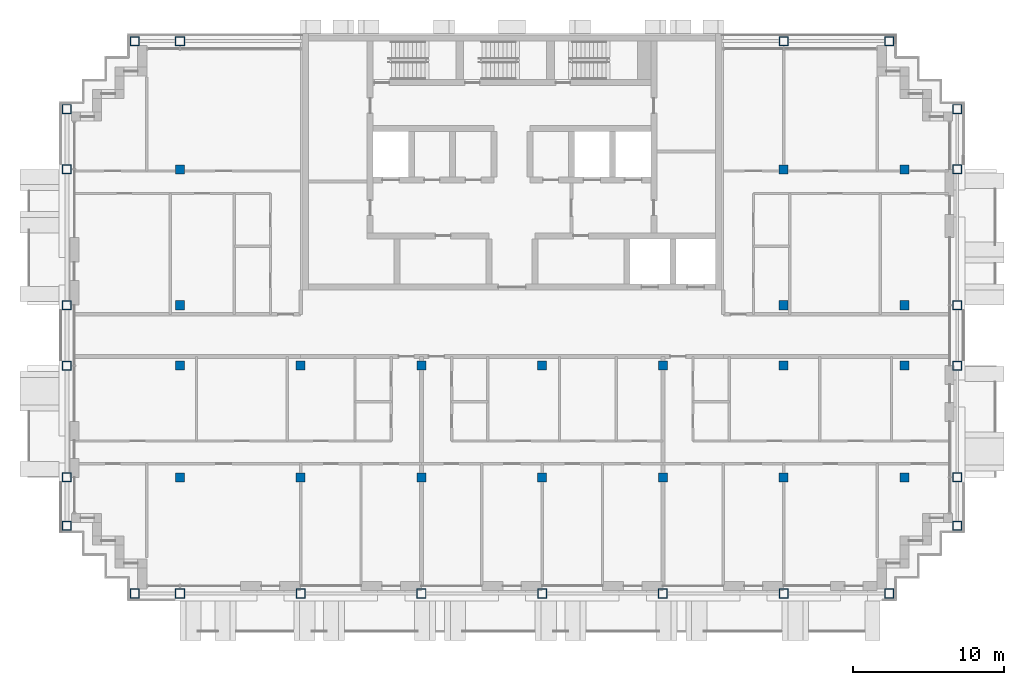
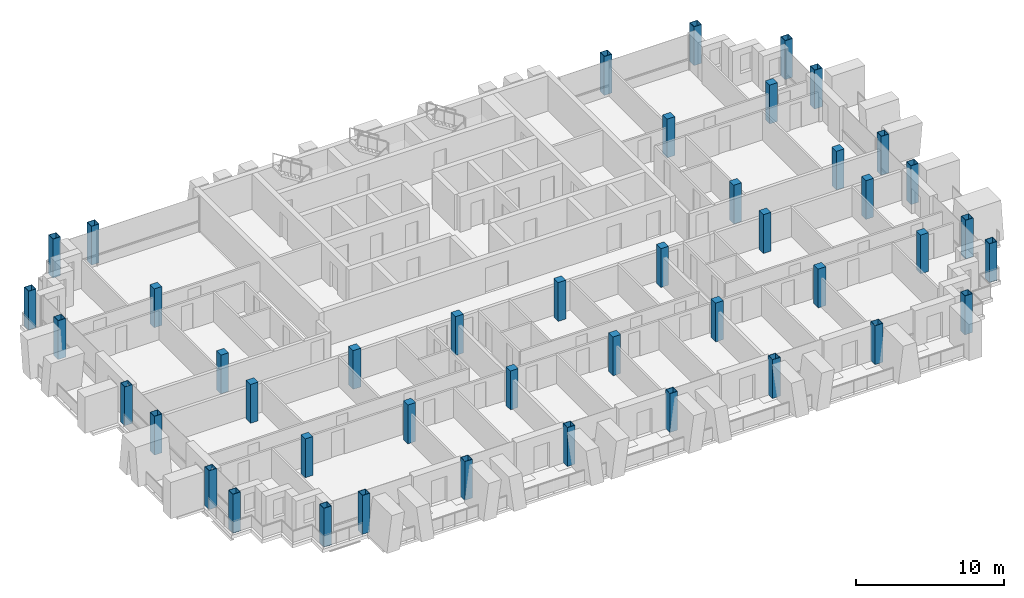
# One storey, part 1 of 16: 44 columns.
"""IFC4 building model written with IfcOpenShell, lengths in metres."""

from ifc_helpers import new_model, si_unit, direction, frame, origin, origin_2d, place, context, subcontext, project, spatial, rectangle, hollow_rectangle, extrude, material, material_profile, profile_set, type_object, element, save


model = new_model("IFC4")

# Units and contexts
model_context = context("Model", 3, precision=1e-05, world=origin(), true_north=direction((0.0, 1.0)))
body_context = subcontext(model_context, "Body", "Model", "MODEL_VIEW")
ifc_project = project(units=[si_unit("LENGTHUNIT", "METRE"), si_unit("AREAUNIT", "SQUARE_METRE"), si_unit("VOLUMEUNIT", "CUBIC_METRE"), si_unit("PLANEANGLEUNIT", "RADIAN"), si_unit("MASSUNIT", "GRAM", prefix="KILO")], contexts=[model_context])

# Site, building, storey
site_placement = place(None, origin())
site = spatial("IfcSite", under=ifc_project, at=site_placement, CompositionType="ELEMENT")
building_placement = place(site_placement, origin())
building = spatial("IfcBuilding", under=site, at=building_placement, Name="Vidyagriha Tower", CompositionType="ELEMENT")
storey_placement = place(building_placement, frame((0.0, 0.0, 230.0)))
storey = spatial("IfcBuildingStorey", under=building, at=storey_placement, Name="L60", CompositionType="ELEMENT", Elevation=230.0)

# Columns
ifc_material_1 = material(Name="Steel ASTM A572 Grade 50", Category="steel")
ifc_material_profile_1 = material_profile(ifc_material_1, hollow_rectangle(XDim=0.60009765625, YDim=0.60009765625, WallThickness=0.030029296875, at=origin_2d()), Name="BOX 600x600x30")
ifc_profile_set_1 = profile_set([ifc_material_profile_1], Name="Steel ASTM A572 Grade 50")
column_type_1 = type_object("IfcColumnType", Name="Exoskeleton column BOX 600x600x30", PredefinedType="COLUMN", material=ifc_profile_set_1)
for number, where, name in (
    (1, (-25.0, -17.10009765625, 0.0), "st-col-L60-B5-001"),
    (2, (-22.0, -17.10009765625, 0.0), "st-col-L60-B5-002"),
    (3, (-14.0, -17.10009765625, 0.0), "st-col-L60-B5-003"),
    (4, (-6.0, -17.10009765625, 0.0), "st-col-L60-B5-004"),
    (5, (2.0, -17.10009765625, 0.0), "st-col-L60-B5-005"),
    (6, (10.0, -17.10009765625, 0.0), "st-col-L60-B5-006"),
    (7, (18.0, -17.10009765625, 0.0), "st-col-L60-B5-007"),
    (8, (25.0, -17.10009765625, 0.0), "st-col-L60-B5-008"),
    (9, (-29.5, -12.60009765625, 0.0), "st-col-L60-B5-009"),
    (10, (29.5, -12.60009765625, 0.0), "st-col-L60-B5-010"),
    (11, (-29.5, -9.39990234375, 0.0), "st-col-L60-B5-011"),
    (12, (29.5, -9.39990234375, 0.0), "st-col-L60-B5-019"),
    (13, (-29.5, -2.0, 0.0), "st-col-L60-B5-020"),
    (14, (29.5, -2.0, 0.0), "st-col-L60-B5-028"),
    (15, (-29.5, 2.0, 0.0), "st-col-L60-B5-029"),
    (16, (29.5, 2.0, 0.0), "st-col-L60-B5-033"),
    (17, (-29.5, 11.0, 0.0), "st-col-L60-B5-034"),
    (18, (29.5, 11.0, 0.0), "st-col-L60-B5-038"),
    (19, (-29.5, 15.0, 0.0), "st-col-L60-B5-039"),
    (20, (29.5, 15.0, 0.0), "st-col-L60-B5-040"),
    (21, (-25.0, 19.5, 0.0), "st-col-L60-B5-041"),
    (22, (-22.0, 19.5, 0.0), "st-col-L60-B5-042"),
    (23, (18.0, 19.5, 0.0), "st-col-L60-B5-043"),
    (24, (25.0, 19.5, 0.0), "st-col-L60-B5-044"),
):
    element("IfcColumn", number, at=place(storey_placement, frame(where)), inside=storey, type_object=column_type_1, Name=name, PredefinedType="COLUMN", context=body_context, shape_type="SweptSolid", body=[
        extrude(hollow_rectangle(XDim=0.60009765625, YDim=0.60009765625, WallThickness=0.030029296875, at=origin_2d()), origin(), (0.0, 0.0, 1.0), 3.199951171875),
    ])
ifc_material_2 = material(Name="Concrete C60/75", Category="concrete")
ifc_material_profile_2 = material_profile(ifc_material_2, rectangle(XDim=0.60009765625, YDim=0.60009765625, at=origin_2d()), Name="RC 600x600")
ifc_profile_set_2 = profile_set([ifc_material_profile_2], Name="Concrete C60/75")
column_type_2 = type_object("IfcColumnType", Name="Frame column RC 600x600", PredefinedType="COLUMN", material=ifc_profile_set_2)
for number, where, name in (
    (25, (-22.0, -9.39990234375, 0.0), "st-col-L60-B5-012"),
    (26, (-14.0, -9.39990234375, 0.0), "st-col-L60-B5-013"),
    (27, (-6.0, -9.39990234375, 0.0), "st-col-L60-B5-014"),
    (28, (2.0, -9.39990234375, 0.0), "st-col-L60-B5-015"),
    (29, (10.0, -9.39990234375, 0.0), "st-col-L60-B5-016"),
    (30, (18.0, -9.39990234375, 0.0), "st-col-L60-B5-017"),
    (31, (26.0, -9.39990234375, 0.0), "st-col-L60-B5-018"),
    (32, (-22.0, -2.0, 0.0), "st-col-L60-B5-021"),
    (33, (-14.0, -2.0, 0.0), "st-col-L60-B5-022"),
    (34, (-6.0, -2.0, 0.0), "st-col-L60-B5-023"),
    (35, (2.0, -2.0, 0.0), "st-col-L60-B5-024"),
    (36, (10.0, -2.0, 0.0), "st-col-L60-B5-025"),
    (37, (18.0, -2.0, 0.0), "st-col-L60-B5-026"),
    (38, (26.0, -2.0, 0.0), "st-col-L60-B5-027"),
    (39, (-22.0, 2.0, 0.0), "st-col-L60-B5-030"),
    (40, (18.0, 2.0, 0.0), "st-col-L60-B5-031"),
    (41, (26.0, 2.0, 0.0), "st-col-L60-B5-032"),
    (42, (-22.0, 11.0, 0.0), "st-col-L60-B5-035"),
    (43, (18.0, 11.0, 0.0), "st-col-L60-B5-036"),
    (44, (26.0, 11.0, 0.0), "st-col-L60-B5-037"),
):
    element("IfcColumn", number, at=place(storey_placement, frame(where)), inside=storey, type_object=column_type_2, Name=name, PredefinedType="COLUMN", context=body_context, shape_type="SweptSolid", body=[
        extrude(rectangle(XDim=0.60009765625, YDim=0.60009765625, at=origin_2d()), origin(), (0.0, 0.0, 1.0), 3.199951171875),
    ])

save(model, "model.ifc")
